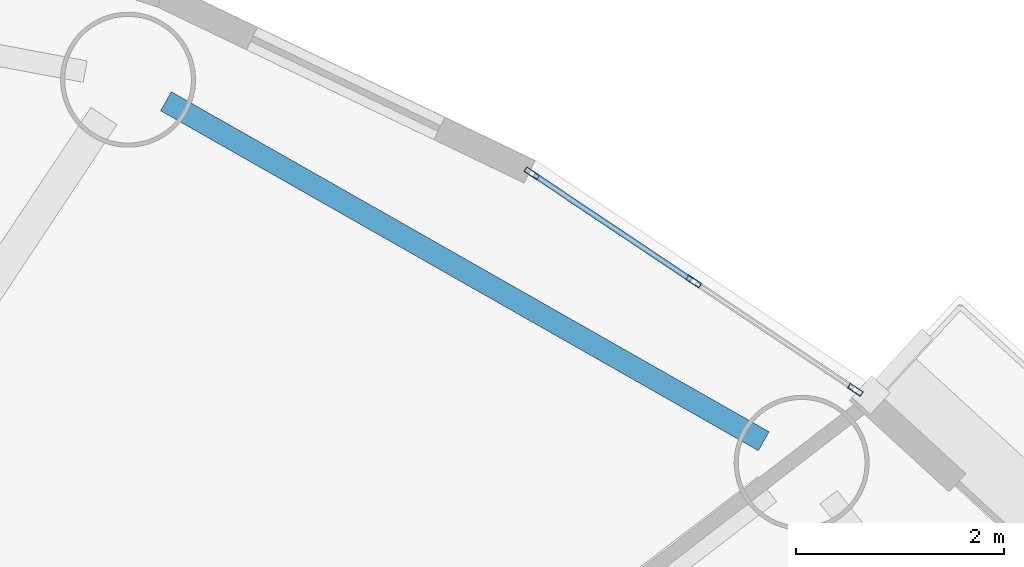
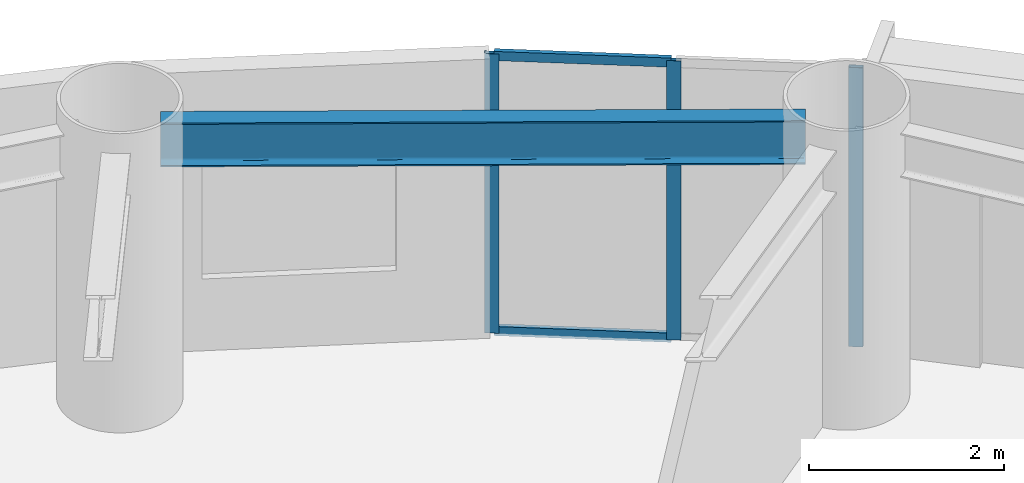
# One storey, part 5 of 21: 5 members, 1 beam, 1 element without a shape of its own.
"""IFC4 building model written with IfcOpenShell, lengths in metres."""

from ifc_helpers import new_model, si_unit, direction, frame, origin, origin_2d, place, context, subcontext, project, spatial, hollow_rectangle, i_section, extrude, source, transform, mapped, material, layer, layer_set, material_profile, profile_set, type_object, element, aggregate, save


model = new_model("IFC4")

# Units and contexts
model_context = context("Model", 3, precision=1e-05, world=origin(), true_north=direction((0.0, 1.0)))
body_context = subcontext(model_context, "Body", "Model", "MODEL_VIEW")
ifc_project = project(units=[si_unit("LENGTHUNIT", "METRE"), si_unit("AREAUNIT", "SQUARE_METRE"), si_unit("VOLUMEUNIT", "CUBIC_METRE"), si_unit("PLANEANGLEUNIT", "RADIAN"), si_unit("MASSUNIT", "GRAM", prefix="KILO")], contexts=[model_context])

# Site, building, storey
site_placement = place(None, origin())
site = spatial("IfcSite", under=ifc_project, at=site_placement, CompositionType="ELEMENT")
building_placement = place(site_placement, origin())
building = spatial("IfcBuilding", under=site, at=building_placement, Name="Linh Dai School and Residence Tower", CompositionType="ELEMENT")
storey_placement = place(building_placement, frame((0.0, 0.0, 189.89990234375)))
storey = spatial("IfcBuildingStorey", under=building, at=storey_placement, Name="L46", CompositionType="ELEMENT", Elevation=189.89990234375)

# Beam
ifc_material_1 = material(Name="Structural Steel S355JR", Category="steel")
ifc_material_profile_1 = material_profile(ifc_material_1, i_section(OverallWidth=0.2099609375, OverallDepth=0.550048828125, WebThickness=0.010986328125, FlangeThickness=0.01708984375, FilletRadius=0.02392578125, at=origin_2d()), Name="IPE 550")
ifc_profile_set_1 = profile_set([ifc_material_profile_1], Name="Structural Steel S355JR")
beam_type = type_object("IfcBeamType", Name="BM-RB55", PredefinedType="BEAM", material=ifc_profile_set_1)
beam_placement = place(storey_placement, frame((53.827392578125, 41.1494140625, 3.22509765625), z_axis=(-0.869262164011, 0.49435138335, 0.0), x_axis=(-0.49435138335, -0.869262164011, 0.0)))
element("IfcBeam", 1, at=beam_placement, inside=storey, type_object=beam_type, Name="L46 Perimeter Elliptical Ring Beam 03", PredefinedType="BEAM", context=body_context, shape_type="SweptSolid", body=[
    extrude(i_section(OverallWidth=0.2099609375, OverallDepth=0.550048828125, WebThickness=0.010986328125, FlangeThickness=0.01708984375, FilletRadius=0.02392578125, at=origin_2d()), origin(), (0.0, 0.0, 1.0), 6.62255859375),
])

# Curtain wall, members
ifc_material_2 = material(Name="Aluminium Anodised Curtain Wall", Category="aluminium")
ifc_layer = layer(ifc_material_2, 0.14990234375)
ifc_layer_set = layer_set([ifc_layer], Name="Aluminium Anodised Curtain Wall")
curtain_wall_type = type_object("IfcCurtainWallType", Name="CW-SYS-4", PredefinedType="USERDEFINED", material=ifc_layer_set)
curtain_wall_placement = place(storey_placement, origin())
curtain_wall = element("IfcCurtainWall", 2, at=curtain_wall_placement, inside=storey, type_object=curtain_wall_type, Name="L46 CW4 Curtain Wall 06", ObjectType="RIBBON CURTAIN WALL", PredefinedType="USERDEFINED")
ifc_material_3 = material(Name="Aluminium Alloy 6063-T6", Category="aluminium")
ifc_material_profile_2 = material_profile(ifc_material_3, hollow_rectangle(XDim=0.052001953125, YDim=0.14990234375, WallThickness=0.00390625, at=origin_2d()), Name="RHS 150x52x4")
ifc_profile_set_2 = profile_set([ifc_material_profile_2], Name="Aluminium Alloy 6063-T6")
member_type_1 = type_object("IfcMemberType", Name="CW-SYS-4-MUL", PredefinedType="MULLION", material=ifc_profile_set_2)
shared_shape_1 = source(origin(), body_context, "Body", "SweptSolid", [
    extrude(hollow_rectangle(XDim=0.052001953125, YDim=0.14990234375, WallThickness=0.00390625, at=origin_2d()), origin(), (0.0, 0.0, 1.0), 3.5),
])
member_1_placement = place(storey_placement, frame((51.594970703125, 43.728759765625, 0.0), z_axis=(0.0, 0.0, 1.0), x_axis=(0.555931154932, 0.831228338651, 0.0)))
member_1 = element("IfcMember", 3, at=member_1_placement, type_object=member_type_1, Name="CW4 mullion 1", PredefinedType="MULLION", context=body_context, shape_type="MappedRepresentation", body=[
    mapped(shared_shape_1, transform((0.0, 0.0, 0.0), x_axis=(1.0, 0.0, 0.0), y_axis=(0.0, 1.0, 0.0), z_axis=(0.0, 0.0, 1.0), scale=1.0)),
])
member_2_placement = place(storey_placement, frame((53.152587890625, 42.68701171875, 0.0), z_axis=(0.0, 0.0, 1.0), x_axis=(0.555931154932, 0.831228338651, 0.0)))
member_2 = element("IfcMember", 4, at=member_2_placement, type_object=member_type_1, Name="CW4 mullion 2", PredefinedType="MULLION", context=body_context, shape_type="MappedRepresentation", body=[
    mapped(shared_shape_1, transform((0.0, 0.0, 0.0), x_axis=(1.0, 0.0, 0.0), y_axis=(0.0, 1.0, 0.0), z_axis=(0.0, 0.0, 1.0), scale=1.0)),
])
member_3_placement = place(storey_placement, frame((54.71044921875, 41.64501953125, 0.0), z_axis=(0.0, 0.0, 1.0), x_axis=(0.555931154932, 0.831228338651, 0.0)))
member_3 = element("IfcMember", 5, at=member_3_placement, type_object=member_type_1, Name="CW4 mullion 3", PredefinedType="MULLION", context=body_context, shape_type="MappedRepresentation", body=[
    mapped(shared_shape_1, transform((0.0, 0.0, 0.0), x_axis=(1.0, 0.0, 0.0), y_axis=(0.0, 1.0, 0.0), z_axis=(0.0, 0.0, 1.0), scale=1.0)),
])
ifc_material_profile_3 = material_profile(ifc_material_3, hollow_rectangle(XDim=0.052001953125, YDim=0.114990234375, WallThickness=0.00390625, at=origin_2d()), Name="RHS 115x52x4")
ifc_profile_set_3 = profile_set([ifc_material_profile_3], Name="Aluminium Alloy 6063-T6")
member_type_2 = type_object("IfcMemberType", Name="CW-SYS-4-TRN", PredefinedType="USERDEFINED", material=ifc_profile_set_3)
shared_shape_2 = source(origin(), body_context, "Body", "SweptSolid", [
    extrude(hollow_rectangle(XDim=0.052001953125, YDim=0.114990234375, WallThickness=0.00390625, at=origin_2d()), origin(), (0.0, 0.0, 1.0), 1.822021484375),
])
member_4_placement = place(storey_placement, frame((51.616455078125, 43.71435546875, 0.026123046875), z_axis=(0.831245508037, -0.555905482406, 0.0), x_axis=(0.555905482406, 0.831245508037, 0.0)))
member_4 = element("IfcMember", 6, at=member_4_placement, type_object=member_type_2, Name="CW4 transom 1.1", ObjectType="TRANSOM", PredefinedType="USERDEFINED", context=body_context, shape_type="MappedRepresentation", body=[
    mapped(shared_shape_2, transform((0.0, 0.0, 0.0), x_axis=(1.0, 0.0, 0.0), y_axis=(0.0, 1.0, 0.0), z_axis=(0.0, 0.0, 1.0), scale=1.0)),
])
member_5_placement = place(storey_placement, frame((51.616455078125, 43.71435546875, 3.47412109375), z_axis=(0.831245508037, -0.555905482406, 0.0), x_axis=(0.555905482406, 0.831245508037, 0.0)))
member_5 = element("IfcMember", 7, at=member_5_placement, type_object=member_type_2, Name="CW4 transom 1.2", ObjectType="TRANSOM", PredefinedType="USERDEFINED", context=body_context, shape_type="MappedRepresentation", body=[
    mapped(shared_shape_2, transform((0.0, 0.0, 0.0), x_axis=(1.0, 0.0, 0.0), y_axis=(0.0, 1.0, 0.0), z_axis=(0.0, 0.0, 1.0), scale=1.0)),
])
aggregate(curtain_wall, [member_1, member_2, member_3, member_4, member_5])

save(model, "model.ifc")
